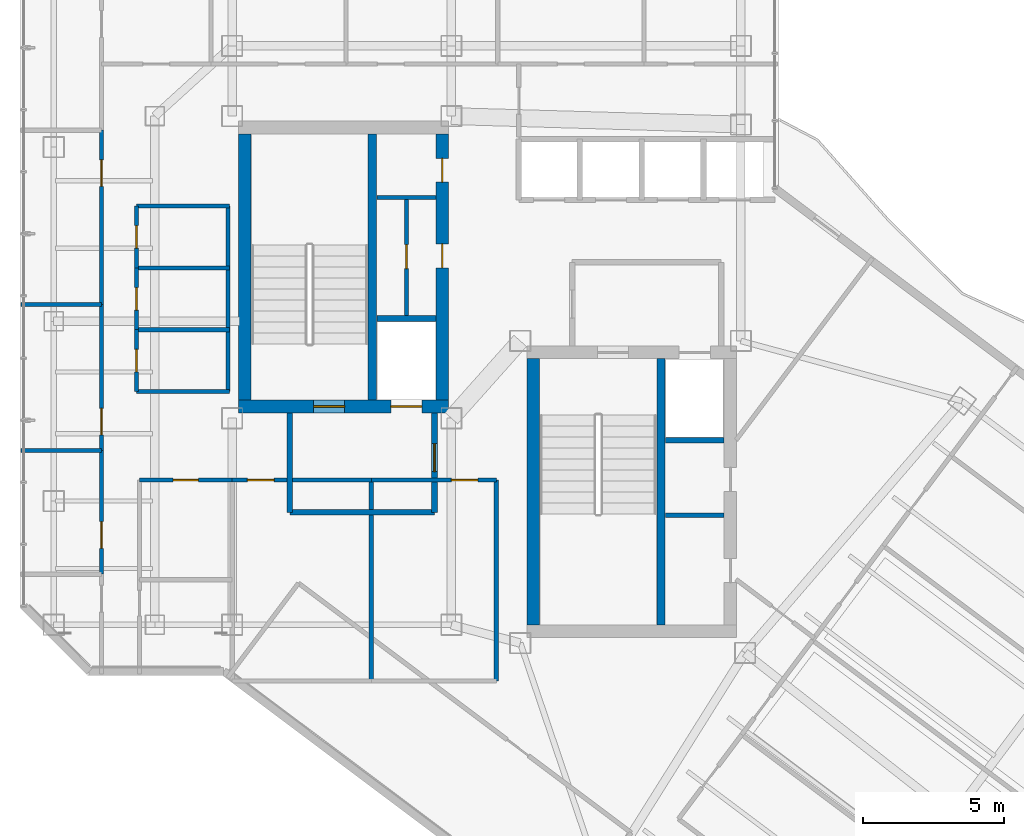
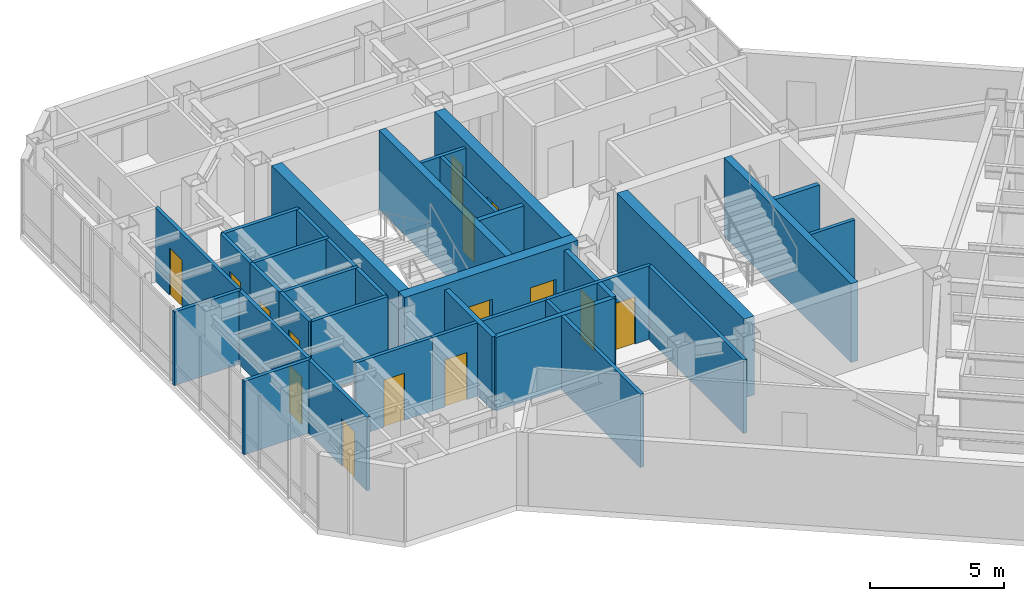
# One storey, part 20 of 26: 32 walls, 15 doors, 15 openings.
"""IFC4 building model written with IfcOpenShell, lengths in metres."""

import ifcopenshell
import ifcopenshell.guid

model = None  # the IFC model being written
_history = None  # IfcOwnerHistory: only IFC2X3 demands one
_inside = {}  # id of a spatial element -> (the spatial element, [elements in it])
_under = {}  # id of a project, library or spatial element -> (it, [spatial elements below it])
_declared = {}  # id of a project -> (the project, [libraries it declares])
_typed = {}  # id of a type object -> (the type object, [elements of that type])
_made_of = {}  # id of a material, layer set ... -> (it, [elements and type objects made of it])


def new_model(schema):
    """Start an empty IFC model of exactly this schema.

    Asked for "IFC4X3", IfcOpenShell would pick the latest addendum, in which some entities
    have other attributes; the version numbers below select the first issue.
    IFC2X3 requires an IfcOwnerHistory on every rooted entity: one is made here for all.
    """
    global model, _history
    if schema == "IFC4X3":
        model = ifcopenshell.file(schema_version=(4, 3, 0, 0))
    else:
        model = ifcopenshell.file(schema=schema)
    _inside.clear()
    _under.clear()
    _declared.clear()
    _typed.clear()
    _made_of.clear()
    _history = None
    if model.schema == "IFC2X3":
        org = make("IfcOrganization", Name="unknown")
        user = make(
            "IfcPersonAndOrganization",
            ThePerson=make("IfcPerson", FamilyName="unknown"),
            TheOrganization=org,
        )
        app = make(
            "IfcApplication",
            ApplicationDeveloper=org,
            Version="unknown",
            ApplicationFullName="unknown",
            ApplicationIdentifier="unknown",
        )
        _history = make(
            "IfcOwnerHistory",
            OwningUser=user,
            OwningApplication=app,
            ChangeAction="ADDED",
            CreationDate=0,
        )
    return model


def make(cls, **values):
    """One entity of the class cls with the attributes given. An attribute that is None is left unset."""
    return model.create_entity(
        cls, **{name: value for name, value in values.items() if value is not None}
    )


def rooted(cls, **values):
    """An entity with a GlobalId (a new one), such as an element, a storey or a relation."""
    return make(cls, GlobalId=ifcopenshell.guid.new(), OwnerHistory=_history, **values)


def si_unit(unit_type, name, prefix=None):
    """IfcSIUnit, for example si_unit("LENGTHUNIT", "METRE", prefix="MILLI")."""
    return make("IfcSIUnit", UnitType=unit_type, Prefix=prefix, Name=name)


def assignment(units):
    """IfcUnitAssignment: the units of a project."""
    return None if units is None else make("IfcUnitAssignment", Units=units)


def point(xyz):
    """IfcCartesianPoint."""
    return None if xyz is None else make("IfcCartesianPoint", Coordinates=xyz)


def direction(xyz):
    """IfcDirection."""
    return None if xyz is None else make("IfcDirection", DirectionRatios=xyz)


def frame(location, z_axis=None, x_axis=None):
    """IfcAxis2Placement3D, a coordinate frame: its origin and axes. An axis left out is left unset."""
    return make(
        "IfcAxis2Placement3D",
        Location=point(location),
        Axis=direction(z_axis),
        RefDirection=direction(x_axis),
    )


def frame_2d(location, x_axis=None):
    """IfcAxis2Placement2D, a coordinate frame in the plane: its origin and x axis."""
    return make(
        "IfcAxis2Placement2D", Location=point(location), RefDirection=direction(x_axis)
    )


def origin():
    """The frame at (0, 0, 0) with its axes left unset."""
    return frame((0.0, 0.0, 0.0))


def place(relative_to, where):
    """IfcLocalPlacement: puts the frame where relative to a parent placement (None: the world)."""
    return make(
        "IfcLocalPlacement", PlacementRelTo=relative_to, RelativePlacement=where
    )


def context(
    kind, dimensions, precision=None, world=None, true_north=None, identifier=None
):
    """IfcGeometricRepresentationContext, for example the 3D "Model" context."""
    return make(
        "IfcGeometricRepresentationContext",
        ContextIdentifier=identifier,
        ContextType=kind,
        CoordinateSpaceDimension=dimensions,
        Precision=precision,
        WorldCoordinateSystem=world,
        TrueNorth=true_north,
    )


def subcontext(parent, identifier, kind, view, scale=None):
    """IfcGeometricRepresentationSubContext, for example "Body" below "Model"."""
    return make(
        "IfcGeometricRepresentationSubContext",
        ContextIdentifier=identifier,
        ContextType=kind,
        ParentContext=parent,
        TargetScale=scale,
        TargetView=view,
    )


def project(units=None, contexts=None):
    """IfcProject with its units and contexts."""
    return rooted(
        "IfcProject",
        Name="project",
        RepresentationContexts=contexts,
        UnitsInContext=assignment(units),
    )


def spatial(cls, under=None, at=None, **own):
    """A site, building, storey or space (cls), placed at a placement, below another one or the project."""
    s = rooted(cls, ObjectPlacement=at, **own)
    if under is not None:
        _under.setdefault(under.id(), (under, []))[1].append(s)
    return s


def profile(cls, at=None, kind="AREA", **sizes):
    """A parametric profile (cls). Its sizes go by their IFC names, for example OverallWidth=200.0."""
    return make(cls, ProfileType=kind, Position=at, **sizes)


def rectangle(**sizes):
    """IfcRectangleProfileDef."""
    return profile("IfcRectangleProfileDef", **sizes)


def extrude(swept, where, along, depth):
    """IfcExtrudedAreaSolid: the profile swept, set in the frame where, extruded along a direction by depth."""
    return make(
        "IfcExtrudedAreaSolid",
        SweptArea=swept,
        Position=where,
        ExtrudedDirection=direction(along),
        Depth=depth,
    )


def shape(context_of_items, identifier, shape_type, items):
    """IfcShapeRepresentation: the items that make up one representation, for example the "Body"."""
    return make(
        "IfcShapeRepresentation",
        ContextOfItems=context_of_items,
        RepresentationIdentifier=identifier,
        RepresentationType=shape_type,
        Items=items,
    )


def material(Name=None, Category=None):
    """IfcMaterial."""
    return make("IfcMaterial", Name=Name, Category=Category)


def layer(
    of_material, thickness, ventilated=None, Name=None, Category=None, Priority=None
):
    """IfcMaterialLayer: one layer of a wall or slab, of a material (None: an air gap)."""
    return make(
        "IfcMaterialLayer",
        Material=of_material,
        LayerThickness=thickness,
        IsVentilated=ventilated,
        Name=Name,
        Category=Category,
        Priority=Priority,
    )


def layer_set(layers, Name=None):
    """IfcMaterialLayerSet."""
    return make("IfcMaterialLayerSet", MaterialLayers=layers, LayerSetName=Name)


def made_of(thing, what):
    """Note that an element or type object is made of a material, layer set ...; save() writes the relation."""
    if what is not None:
        _made_of.setdefault(what.id(), (what, []))[1].append(thing)
    return thing


def type_object(cls, material=None, **own):
    """A type object (cls), such as IfcWallType, which elements share."""
    return made_of(rooted(cls, **own), material)


def element(
    cls,
    number,
    at=None,
    inside=None,
    cuts=None,
    type_object=None,
    material=None,
    context=None,
    identifier="Body",
    shape_type=None,
    held_by="IfcProductDefinitionShape",
    body=None,
    shapes=None,
    **own,
):
    """One element of the class cls, such as IfcWall. Its Tag is "e" and its number.

    at: its placement. inside: the storey or other place that contains it. cuts: it is an
    opening in that element (IfcRelVoidsElement). A single representation is given by context,
    identifier, shape_type and body (its items); several are given by shapes. held_by: the class
    of the entity that holds the representations. save() writes the other relations.
    """
    e = rooted(cls, Tag="e%d" % number, ObjectPlacement=at, **own)
    if body is not None:
        shapes = [shape(context, identifier, shape_type, body)]
    if shapes is not None:
        e.Representation = make(held_by, Representations=shapes)
    if inside is not None:
        _inside.setdefault(inside.id(), (inside, []))[1].append(e)
    if cuts is not None:
        rooted(
            "IfcRelVoidsElement", RelatingBuildingElement=cuts, RelatedOpeningElement=e
        )
    if type_object is not None:
        _typed.setdefault(type_object.id(), (type_object, []))[1].append(e)
    return made_of(e, material)


def fill(opening, filler):
    """IfcRelFillsElement: the door or window that sits in an opening."""
    return rooted(
        "IfcRelFillsElement",
        RelatingOpeningElement=opening,
        RelatedBuildingElement=filler,
    )


def aggregate(whole, parts):
    """IfcRelAggregates: a whole, such as a stair, and the parts it consists of."""
    return rooted("IfcRelAggregates", RelatingObject=whole, RelatedObjects=parts)


def save(model, path):
    """Write the relations noted so far, then the file.

    IfcRelAggregates (storeys below a building ...), IfcRelContainedInSpatialStructure (elements
    in a storey), IfcRelDefinesByType, IfcRelAssociatesMaterial and IfcRelDeclares: one each for
    every whole, place, type object, material and project.
    """
    for whole, parts in _under.values():
        aggregate(whole, parts)
    for where, things in _inside.values():
        rooted(
            "IfcRelContainedInSpatialStructure",
            RelatedElements=things,
            RelatingStructure=where,
        )
    for kind, things in _typed.values():
        rooted("IfcRelDefinesByType", RelatedObjects=things, RelatingType=kind)
    for what, things in _made_of.values():
        rooted("IfcRelAssociatesMaterial", RelatedObjects=things, RelatingMaterial=what)
    for by, libraries in _declared.values():
        rooted("IfcRelDeclares", RelatingContext=by, RelatedDefinitions=libraries)
    model.write(path)


model = new_model("IFC4")

# Units and contexts
model_context = context("Model", 3, precision=1e-05, world=origin(), true_north=direction((0.0, 1.0)))
body_context = subcontext(model_context, "Body", "Model", "MODEL_VIEW")
ifc_project = project(units=[si_unit("LENGTHUNIT", "METRE"), si_unit("AREAUNIT", "SQUARE_METRE"), si_unit("VOLUMEUNIT", "CUBIC_METRE"), si_unit("PLANEANGLEUNIT", "RADIAN"), si_unit("MASSUNIT", "GRAM", prefix="KILO")], contexts=[model_context])

# Site, building, storey
site_placement = place(None, origin())
site = spatial("IfcSite", under=ifc_project, at=site_placement, CompositionType="ELEMENT")
building_placement = place(site_placement, origin())
building = spatial("IfcBuilding", under=site, at=building_placement, Name="Hatsunagi Terrace Concourse", CompositionType="ELEMENT")
storey_placement = place(building_placement, frame((0.0, 0.0, 209.550048828125)))
storey = spatial("IfcBuildingStorey", under=building, at=storey_placement, Name="L55", CompositionType="ELEMENT", Elevation=209.550048828125)

# Wall, openings, doors
ifc_material_1 = material(Name="Concrete Fc42", Category="concrete")
ifc_layer_1 = layer(ifc_material_1, 0.449951171875)
ifc_layer_set_1 = layer_set([ifc_layer_1], Name="CoreShearWall_Fc42_450")
wall_type_1 = type_object("IfcWallType", Name="CoreShearWall_Fc42_450", PredefinedType="SHEAR", material=ifc_layer_set_1)
wall_1_placement = place(storey_placement, frame((25.77001953125, 32.965087890625, 0.0), z_axis=(0.0, 0.0, 1.0), x_axis=(1.0, 0.0, 0.0)))
wall_1 = element("IfcWall", 1, at=wall_1_placement, inside=storey, type_object=wall_type_1, Name="Core A Shear Wall S L55", PredefinedType="SHEAR", context=body_context, shape_type="SweptSolid", body=[
    extrude(rectangle(XDim=7.47998046875, YDim=0.449951171875, at=frame_2d((3.739990234375, 0.0))), origin(), (0.0, 0.0, 1.0), 3.599853515625),
])
opening_1_placement = place(wall_1_placement, frame((2.679931640625, 0.0, 0.0)))
opening_1 = element("IfcOpeningElement", 2, at=opening_1_placement, cuts=wall_1, Name="Opening DR-110S", PredefinedType="OPENING", context=body_context, shape_type="SweptSolid", body=[
    extrude(rectangle(XDim=1.10009765625, YDim=2.199951171875, at=frame_2d((0.550048828125, 1.10009765625))), frame((0.0, 0.23486328125, 0.0), z_axis=(0.0, -1.0, 0.0), x_axis=(1.0, 0.0, 0.0)), (0.0, 0.0, 1.0), 0.469970703125),
])
opening_2_placement = place(wall_1_placement, frame((5.429931640625, 0.0, 0.0)))
opening_2 = element("IfcOpeningElement", 3, at=opening_2_placement, cuts=wall_1, Name="Opening LD-01", PredefinedType="OPENING", context=body_context, shape_type="SweptSolid", body=[
    extrude(rectangle(XDim=1.10009765625, YDim=2.14990234375, at=frame_2d((0.550048828125, 1.074951171875))), frame((0.0, 0.23486328125, 0.0), z_axis=(0.0, -1.0, 0.0), x_axis=(1.0, 0.0, 0.0)), (0.0, 0.0, 1.0), 0.469970703125),
])
ifc_material_2 = material(Name="Stainless steel", Category="steel")
door_type_1 = type_object("IfcDoorType", Name="LiftLandingDoor_LD01", OperationType="SLIDING_TO_LEFT", PredefinedType="USERDEFINED", material=ifc_material_2)
door_1_placement = place(opening_2_placement, origin())
door_1 = element("IfcDoor", 4, at=door_1_placement, inside=storey, type_object=door_type_1, Name="Lift landing door FF-01 L55", ObjectType="SLIDING_LANDING_DOOR", OperationType="SLIDING_TO_LEFT", OverallHeight=2.14990234375, OverallWidth=1.10009765625, PredefinedType="USERDEFINED", context=body_context, shape_type="SweptSolid", body=[
    extrude(rectangle(XDim=1.10009765625, YDim=2.14990234375, at=frame_2d((0.550048828125, 1.074951171875))), frame((0.0, 0.02490234375, 0.0), z_axis=(0.0, -1.0, 0.0), x_axis=(1.0, 0.0, 0.0)), (0.0, 0.0, 1.0), 0.050048828125),
])
fill(opening_2, door_1)
ifc_material_3 = material(Name="Painted steel", Category="steel")
door_type_2 = type_object("IfcDoorType", Name="StairFireDoor_EI60_1100", OperationType="NOTDEFINED", PredefinedType="DOOR", material=ifc_material_3)
door_2_placement = place(opening_1_placement, origin())
door_2 = element("IfcDoor", 5, at=door_2_placement, inside=storey, type_object=door_type_2, Name="Stair ST-A Exit Door L55", OperationType="SINGLE_SWING_LEFT", OverallHeight=2.199951171875, OverallWidth=1.10009765625, PredefinedType="DOOR", context=body_context, shape_type="SweptSolid", body=[
    extrude(rectangle(XDim=1.10009765625, YDim=2.199951171875, at=frame_2d((0.550048828125, 1.10009765625))), frame((0.0, 0.02490234375, 0.0), z_axis=(0.0, -1.0, 0.0), x_axis=(1.0, 0.0, 0.0)), (0.0, 0.0, 1.0), 0.050048828125),
])
fill(opening_1, door_2)

# Wall
wall_2_placement = place(storey_placement, frame((25.9951171875, 33.18994140625, 0.0), z_axis=(0.0, 0.0, 1.0), x_axis=(0.0, 1.0, 0.0)))
element("IfcWall", 6, at=wall_2_placement, inside=storey, type_object=wall_type_1, Name="Core A Shear Wall W L55", PredefinedType="SHEAR", context=body_context, shape_type="SweptSolid", body=[
    extrude(rectangle(XDim=9.47998046875, YDim=0.449951171875, at=frame_2d((4.739990234375, 0.0))), origin(), (0.0, 0.0, 1.0), 3.599853515625),
])

# Wall, openings, doors
wall_3_placement = place(storey_placement, frame((33.02490234375, 33.18994140625, 0.0), z_axis=(0.0, 0.0, 1.0), x_axis=(0.0, 1.0, 0.0)))
wall_3 = element("IfcWall", 7, at=wall_3_placement, inside=storey, type_object=wall_type_1, Name="Core A Shear Wall E L55", PredefinedType="SHEAR", context=body_context, shape_type="SweptSolid", body=[
    extrude(rectangle(XDim=9.47998046875, YDim=0.449951171875, at=frame_2d((4.739990234375, 0.0))), origin(), (0.0, 0.0, 1.0), 3.599853515625),
])
opening_3_placement = place(wall_3_placement, frame((4.7099609375, 0.0, 0.0)))
opening_3 = element("IfcOpeningElement", 8, at=opening_3_placement, cuts=wall_3, Name="Opening DR-085", PredefinedType="OPENING", context=body_context, shape_type="SweptSolid", body=[
    extrude(rectangle(XDim=0.85009765625, YDim=2.080078125, at=frame_2d((0.425048828125, 1.0400390625))), frame((0.0, 0.23486328125, 0.0), z_axis=(0.0, -1.0, 0.0), x_axis=(1.0, 0.0, 0.0)), (0.0, 0.0, 1.0), 0.469970703125),
])
opening_4_placement = place(wall_3_placement, frame((7.760009765625, 0.0, 0.0)))
opening_4 = element("IfcOpeningElement", 9, at=opening_4_placement, cuts=wall_3, Name="Opening DR-085", PredefinedType="OPENING", context=body_context, shape_type="SweptSolid", body=[
    extrude(rectangle(XDim=0.85009765625, YDim=2.080078125, at=frame_2d((0.425048828125, 1.0400390625))), frame((0.0, 0.23486328125, 0.0), z_axis=(0.0, -1.0, 0.0), x_axis=(1.0, 0.0, 0.0)), (0.0, 0.0, 1.0), 0.469970703125),
])
ifc_material_4 = material(Name="Painted steel", Category="steel")
door_type_3 = type_object("IfcDoorType", Name="RiserAccessDoor_EI60_850", OperationType="NOTDEFINED", PredefinedType="DOOR", material=ifc_material_4)
door_3_placement = place(opening_3_placement, origin())
door_3 = element("IfcDoor", 10, at=door_3_placement, inside=storey, type_object=door_type_3, Name="Core A Riser Door L55-1", OperationType="SINGLE_SWING_LEFT", OverallHeight=2.080078125, OverallWidth=0.85009765625, PredefinedType="DOOR", context=body_context, shape_type="SweptSolid", body=[
    extrude(rectangle(XDim=0.85009765625, YDim=2.080078125, at=frame_2d((0.425048828125, 1.0400390625))), frame((0.0, 0.02490234375, 0.0), z_axis=(0.0, -1.0, 0.0), x_axis=(1.0, 0.0, 0.0)), (0.0, 0.0, 1.0), 0.050048828125),
])
fill(opening_3, door_3)
door_4_placement = place(opening_4_placement, origin())
door_4 = element("IfcDoor", 11, at=door_4_placement, inside=storey, type_object=door_type_3, Name="Core A Riser Door L55-2", OperationType="SINGLE_SWING_LEFT", OverallHeight=2.080078125, OverallWidth=0.85009765625, PredefinedType="DOOR", context=body_context, shape_type="SweptSolid", body=[
    extrude(rectangle(XDim=0.85009765625, YDim=2.080078125, at=frame_2d((0.425048828125, 1.0400390625))), frame((0.0, 0.02490234375, 0.0), z_axis=(0.0, -1.0, 0.0), x_axis=(1.0, 0.0, 0.0)), (0.0, 0.0, 1.0), 0.050048828125),
])
fill(opening_4, door_4)

# Walls
wall_4_placement = place(storey_placement, frame((36.264892578125, 25.18994140625, 0.0), z_axis=(0.0, 0.0, 1.0), x_axis=(0.0, 1.0, 0.0)))
element("IfcWall", 12, at=wall_4_placement, inside=storey, type_object=wall_type_1, Name="Core B Shear Wall W L55", PredefinedType="SHEAR", context=body_context, shape_type="SweptSolid", body=[
    extrude(rectangle(XDim=9.47998046875, YDim=0.449951171875, at=frame_2d((4.739990234375, 0.0))), origin(), (0.0, 0.0, 1.0), 3.599853515625),
])
ifc_material_5 = material(Name="Concrete Fc48", Category="concrete")
ifc_layer_2 = layer(ifc_material_5, 0.300048828125)
ifc_layer_set_2 = layer_set([ifc_layer_2], Name="CoreStairDivider_Fc48_300")
wall_type_2 = type_object("IfcWallType", Name="CoreStairDivider_Fc48_300", PredefinedType="SHEAR", material=ifc_layer_set_2)
for number, where, z_axis, x_axis, name in (
    (13, (30.5400390625, 33.18994140625, 0.0), (0.0, 0.0, 1.0), (0.0, 1.0, 0.0), "Core A Shear Wall D L55"),
    (14, (40.81005859375, 25.18994140625, 0.0), (0.0, 0.0, 1.0), (0.0, 1.0, 0.0), "Core B Shear Wall D L55"),
):
    element("IfcWall", number, at=place(storey_placement, frame(where, z_axis=z_axis, x_axis=x_axis)), inside=storey, type_object=wall_type_2, Name=name, PredefinedType="SHEAR", context=body_context, shape_type="SweptSolid", body=[
        extrude(rectangle(XDim=9.47998046875, YDim=0.300048828125, at=frame_2d((4.739990234375, 0.0))), origin(), (0.0, 0.0, 1.0), 3.599853515625),
    ])

# Wall, opening, door
ifc_material_6 = material(Name="Acoustic mineral board", Category="gypsum")
ifc_layer_3 = layer(ifc_material_6, 0.14990234375)
ifc_layer_set_3 = layer_set([ifc_layer_3], Name="PartitionWall_EI60_150")
wall_type_3 = type_object("IfcWallType", Name="PartitionWall_EI60_150", PredefinedType="PARTITIONING", material=ifc_layer_set_3)
wall_5_placement = place(storey_placement, frame((31.75, 36.179931640625, 0.0), z_axis=(0.0, 0.0, 1.0), x_axis=(0.0, 1.0, 0.0)))
wall_5 = element("IfcWall", 15, at=wall_5_placement, inside=storey, type_object=wall_type_3, Name="Interior Partition IW-L55-002", PredefinedType="PARTITIONING", context=body_context, shape_type="SweptSolid", body=[
    extrude(rectangle(XDim=4.239990234375, YDim=0.14990234375, at=frame_2d((2.1201171875, 0.0))), origin(), (0.0, 0.0, 1.0), 3.349853515625),
])
opening_5_placement = place(wall_5_placement, frame((1.695068359375, 0.0, 0.0)))
opening_5 = element("IfcOpeningElement", 16, at=opening_5_placement, cuts=wall_5, Name="Opening DR-085", PredefinedType="OPENING", context=body_context, shape_type="SweptSolid", body=[
    extrude(rectangle(XDim=0.85009765625, YDim=2.080078125, at=frame_2d((0.425048828125, 1.0400390625))), frame((0.0, 0.0849609375, 0.0), z_axis=(0.0, -1.0, 0.0), x_axis=(1.0, 0.0, 0.0)), (0.0, 0.0, 1.0), 0.169921875),
])
door_5_placement = place(opening_5_placement, origin())
door_5 = element("IfcDoor", 17, at=door_5_placement, inside=storey, type_object=door_type_3, Name="Core A Sub-Riser Door L55", OperationType="SINGLE_SWING_LEFT", OverallHeight=2.080078125, OverallWidth=0.85009765625, PredefinedType="DOOR", context=body_context, shape_type="SweptSolid", body=[
    extrude(rectangle(XDim=0.85009765625, YDim=2.080078125, at=frame_2d((0.425048828125, 1.0400390625))), frame((0.0, 0.02490234375, 0.0), z_axis=(0.0, -1.0, 0.0), x_axis=(1.0, 0.0, 0.0)), (0.0, 0.0, 1.0), 0.050048828125),
])
fill(opening_5, door_5)

# Walls
wall_6_placement = place(storey_placement, frame((30.699951171875, 40.39990234375, 0.0), z_axis=(0.0, 0.0, 1.0), x_axis=(1.0, 0.0, 0.0)))
element("IfcWall", 18, at=wall_6_placement, inside=storey, type_object=wall_type_3, Name="Interior Partition IW-L55-003", PredefinedType="PARTITIONING", context=body_context, shape_type="SweptSolid", body=[
    extrude(rectangle(XDim=2.10009765625, YDim=0.14990234375, at=frame_2d((1.050048828125, 0.0))), origin(), (0.0, 0.0, 1.0), 3.349853515625),
])
wall_7_placement = place(storey_placement, frame((40.969970703125, 29.10009765625, 0.0), z_axis=(0.0, 0.0, 1.0), x_axis=(1.0, 0.0, 0.0)))
element("IfcWall", 19, at=wall_7_placement, inside=storey, type_object=wall_type_3, Name="Interior Partition IW-L55-005", PredefinedType="PARTITIONING", context=body_context, shape_type="SweptSolid", body=[
    extrude(rectangle(XDim=2.080078125, YDim=0.14990234375, at=frame_2d((1.0400390625, 0.0))), origin(), (0.0, 0.0, 1.0), 3.349853515625),
])
for number, where, z_axis, x_axis, name in (
    (20, (22.14990234375, 33.5, 0.0), (0.0, 0.0, 1.0), (1.0, 0.0, 0.0), "Interior Partition IW-L55-018"),
    (21, (22.14990234375, 40.10009765625, 0.0), (0.0, 0.0, 1.0), (1.0, 0.0, 0.0), "Interior Partition IW-L55-019"),
):
    element("IfcWall", number, at=place(storey_placement, frame(where, z_axis=z_axis, x_axis=x_axis)), inside=storey, type_object=wall_type_3, Name=name, PredefinedType="PARTITIONING", context=body_context, shape_type="SweptSolid", body=[
        extrude(rectangle(XDim=3.300048828125, YDim=0.14990234375, at=frame_2d((1.64990234375, 0.0))), origin(), (0.0, 0.0, 1.0), 3.349853515625),
    ])
wall_8_placement = place(storey_placement, frame((25.39990234375, 33.5, 0.0), z_axis=(0.0, 0.0, 1.0), x_axis=(0.0, 1.0, 0.0)))
element("IfcWall", 22, at=wall_8_placement, inside=storey, type_object=wall_type_3, Name="Interior Partition IW-L55-020", PredefinedType="PARTITIONING", context=body_context, shape_type="SweptSolid", body=[
    extrude(rectangle(XDim=6.60009765625, YDim=0.14990234375, at=frame_2d((3.300048828125, 0.0))), origin(), (0.0, 0.0, 1.0), 3.349853515625),
])
for number, where, z_axis, x_axis, name in (
    (23, (22.14990234375, 35.699951171875, 0.0), (0.0, 0.0, 1.0), (1.0, 0.0, 0.0), "Interior Partition IW-L55-021"),
    (24, (22.14990234375, 37.89990234375, 0.0), (0.0, 0.0, 1.0), (1.0, 0.0, 0.0), "Interior Partition IW-L55-022"),
):
    element("IfcWall", number, at=place(storey_placement, frame(where, z_axis=z_axis, x_axis=x_axis)), inside=storey, type_object=wall_type_3, Name=name, PredefinedType="PARTITIONING", context=body_context, shape_type="SweptSolid", body=[
        extrude(rectangle(XDim=3.300048828125, YDim=0.14990234375, at=frame_2d((1.64990234375, 0.0))), origin(), (0.0, 0.0, 1.0), 3.349853515625),
    ])

# Wall, opening, door
wall_9_placement = place(storey_placement, frame((22.14990234375, 33.5, 0.0), z_axis=(0.0, 0.0, 1.0), x_axis=(0.0, 1.0, 0.0)))
wall_9 = element("IfcWall", 25, at=wall_9_placement, inside=storey, type_object=wall_type_3, Name="Interior Partition IW-L55-023", PredefinedType="PARTITIONING", context=body_context, shape_type="SweptSolid", body=[
    extrude(rectangle(XDim=2.199951171875, YDim=0.14990234375, at=frame_2d((1.10009765625, 0.0))), origin(), (0.0, 0.0, 1.0), 3.349853515625),
])
opening_6_placement = place(wall_9_placement, frame((0.699951171875, 0.0, 0.0)))
opening_6 = element("IfcOpeningElement", 26, at=opening_6_placement, cuts=wall_9, Name="Opening DR-080", PredefinedType="OPENING", context=body_context, shape_type="SweptSolid", body=[
    extrude(rectangle(XDim=0.800048828125, YDim=2.06005859375, at=frame_2d((0.39990234375, 1.030029296875))), frame((0.0, 0.0849609375, 0.0), z_axis=(0.0, -1.0, 0.0), x_axis=(1.0, 0.0, 0.0)), (0.0, 0.0, 1.0), 0.169921875),
])
ifc_material_7 = material(Name="Hardwood timber", Category="wood")
door_type_4 = type_object("IfcDoorType", Name="BathroomDoor_800", OperationType="NOTDEFINED", PredefinedType="DOOR", material=ifc_material_7)
door_6_placement = place(opening_6_placement, origin())
door_6 = element("IfcDoor", 27, at=door_6_placement, inside=storey, type_object=door_type_4, Name="Accessible WC Door L55", OperationType="SINGLE_SWING_RIGHT", OverallHeight=2.06005859375, OverallWidth=0.800048828125, PredefinedType="DOOR", context=body_context, shape_type="SweptSolid", body=[
    extrude(rectangle(XDim=0.800048828125, YDim=2.06005859375, at=frame_2d((0.39990234375, 1.030029296875))), frame((0.0, 0.02490234375, 0.0), z_axis=(0.0, -1.0, 0.0), x_axis=(1.0, 0.0, 0.0)), (0.0, 0.0, 1.0), 0.050048828125),
])
fill(opening_6, door_6)

wall_10_placement = place(storey_placement, frame((22.14990234375, 35.699951171875, 0.0), z_axis=(0.0, 0.0, 1.0), x_axis=(0.0, 1.0, 0.0)))
wall_10 = element("IfcWall", 28, at=wall_10_placement, inside=storey, type_object=wall_type_3, Name="Interior Partition IW-L55-024", PredefinedType="PARTITIONING", context=body_context, shape_type="SweptSolid", body=[
    extrude(rectangle(XDim=2.199951171875, YDim=0.14990234375, at=frame_2d((1.10009765625, 0.0))), origin(), (0.0, 0.0, 1.0), 3.349853515625),
])
opening_7_placement = place(wall_10_placement, frame((0.699951171875, 0.0, 0.0)))
opening_7 = element("IfcOpeningElement", 29, at=opening_7_placement, cuts=wall_10, Name="Opening DR-080", PredefinedType="OPENING", context=body_context, shape_type="SweptSolid", body=[
    extrude(rectangle(XDim=0.800048828125, YDim=2.06005859375, at=frame_2d((0.39990234375, 1.030029296875))), frame((0.0, 0.0849609375, 0.0), z_axis=(0.0, -1.0, 0.0), x_axis=(1.0, 0.0, 0.0)), (0.0, 0.0, 1.0), 0.169921875),
])
door_7_placement = place(opening_7_placement, origin())
door_7 = element("IfcDoor", 30, at=door_7_placement, inside=storey, type_object=door_type_4, Name="Female Restroom Door L55", OperationType="SINGLE_SWING_RIGHT", OverallHeight=2.06005859375, OverallWidth=0.800048828125, PredefinedType="DOOR", context=body_context, shape_type="SweptSolid", body=[
    extrude(rectangle(XDim=0.800048828125, YDim=2.06005859375, at=frame_2d((0.39990234375, 1.030029296875))), frame((0.0, 0.02490234375, 0.0), z_axis=(0.0, -1.0, 0.0), x_axis=(1.0, 0.0, 0.0)), (0.0, 0.0, 1.0), 0.050048828125),
])
fill(opening_7, door_7)

wall_11_placement = place(storey_placement, frame((22.14990234375, 37.89990234375, 0.0), z_axis=(0.0, 0.0, 1.0), x_axis=(0.0, 1.0, 0.0)))
wall_11 = element("IfcWall", 31, at=wall_11_placement, inside=storey, type_object=wall_type_3, Name="Interior Partition IW-L55-025", PredefinedType="PARTITIONING", context=body_context, shape_type="SweptSolid", body=[
    extrude(rectangle(XDim=2.2001953125, YDim=0.14990234375, at=frame_2d((1.10009765625, 0.0))), origin(), (0.0, 0.0, 1.0), 3.349853515625),
])
opening_8_placement = place(wall_11_placement, frame((0.699951171875, 0.0, 0.0)))
opening_8 = element("IfcOpeningElement", 32, at=opening_8_placement, cuts=wall_11, Name="Opening DR-080", PredefinedType="OPENING", context=body_context, shape_type="SweptSolid", body=[
    extrude(rectangle(XDim=0.800048828125, YDim=2.06005859375, at=frame_2d((0.39990234375, 1.030029296875))), frame((0.0, 0.0849609375, 0.0), z_axis=(0.0, -1.0, 0.0), x_axis=(1.0, 0.0, 0.0)), (0.0, 0.0, 1.0), 0.169921875),
])
door_8_placement = place(opening_8_placement, origin())
door_8 = element("IfcDoor", 33, at=door_8_placement, inside=storey, type_object=door_type_4, Name="Male Restroom Door L55", OperationType="SINGLE_SWING_RIGHT", OverallHeight=2.06005859375, OverallWidth=0.800048828125, PredefinedType="DOOR", context=body_context, shape_type="SweptSolid", body=[
    extrude(rectangle(XDim=0.800048828125, YDim=2.06005859375, at=frame_2d((0.39990234375, 1.030029296875))), frame((0.0, 0.02490234375, 0.0), z_axis=(0.0, -1.0, 0.0), x_axis=(1.0, 0.0, 0.0)), (0.0, 0.0, 1.0), 0.050048828125),
])
fill(opening_8, door_8)

wall_12_placement = place(storey_placement, frame((25.550048828125, 30.35009765625, 0.0), z_axis=(0.0, 0.0, 1.0), x_axis=(1.0, 0.0, 0.0)))
wall_12 = element("IfcWall", 34, at=wall_12_placement, inside=storey, type_object=wall_type_3, Name="Interior Partition IW-L55-027", PredefinedType="PARTITIONING", context=body_context, shape_type="SweptSolid", body=[
    extrude(rectangle(XDim=4.949951171875, YDim=0.14990234375, at=frame_2d((2.47509765625, 0.0))), origin(), (0.0, 0.0, 1.0), 3.349853515625),
])
opening_9_placement = place(wall_12_placement, frame((0.5419921875, 0.0, 0.0)))
opening_9 = element("IfcOpeningElement", 35, at=opening_9_placement, cuts=wall_12, Name="Opening DR-095", PredefinedType="OPENING", context=body_context, shape_type="SweptSolid", body=[
    extrude(rectangle(XDim=0.949951171875, YDim=2.14990234375, at=frame_2d((0.47509765625, 1.074951171875))), frame((0.0, 0.0849609375, 0.0), z_axis=(0.0, -1.0, 0.0), x_axis=(1.0, 0.0, 0.0)), (0.0, 0.0, 1.0), 0.169921875),
])
ifc_material_8 = material(Name="Hardwood timber", Category="wood")
door_type_5 = type_object("IfcDoorType", Name="InteriorSuiteDoor_EI30_950", OperationType="NOTDEFINED", PredefinedType="DOOR", material=ifc_material_8)
door_9_placement = place(opening_9_placement, origin())
door_9 = element("IfcDoor", 36, at=door_9_placement, inside=storey, type_object=door_type_5, Name="Executive Office L55-RECL1 Door", OperationType="SINGLE_SWING_RIGHT", OverallHeight=2.14990234375, OverallWidth=0.949951171875, PredefinedType="DOOR", context=body_context, shape_type="SweptSolid", body=[
    extrude(rectangle(XDim=0.949951171875, YDim=2.14990234375, at=frame_2d((0.47509765625, 1.074951171875))), frame((0.0, 0.02490234375, 0.0), z_axis=(0.0, -1.0, 0.0), x_axis=(1.0, 0.0, 0.0)), (0.0, 0.0, 1.0), 0.050048828125),
])
fill(opening_9, door_9)

# Wall
wall_13_placement = place(storey_placement, frame((30.5, 23.199951171875, 0.0), z_axis=(0.0, 0.0, 1.0), x_axis=(0.0, 1.0, 0.0)))
element("IfcWall", 37, at=wall_13_placement, inside=storey, type_object=wall_type_3, Name="Interior Partition IW-L55-029", PredefinedType="PARTITIONING", context=body_context, shape_type="SweptSolid", body=[
    extrude(rectangle(XDim=7.150146484375, YDim=0.14990234375, at=frame_2d((3.5751953125, 0.0))), origin(), (0.0, 0.0, 1.0), 3.349853515625),
])

# Wall, opening, door
wall_14_placement = place(storey_placement, frame((30.5, 30.35009765625, 0.0), z_axis=(0.0, 0.0, 1.0), x_axis=(1.0, 0.0, 0.0)))
wall_14 = element("IfcWall", 38, at=wall_14_placement, inside=storey, type_object=wall_type_3, Name="Interior Partition IW-L55-031", PredefinedType="PARTITIONING", context=body_context, shape_type="SweptSolid", body=[
    extrude(rectangle(XDim=4.449951171875, YDim=0.14990234375, at=frame_2d((2.22509765625, 0.0))), origin(), (0.0, 0.0, 1.0), 3.349853515625),
])
opening_10_placement = place(wall_14_placement, frame((2.845947265625, 0.0, 0.0)))
opening_10 = element("IfcOpeningElement", 39, at=opening_10_placement, cuts=wall_14, Name="Opening DR-095", PredefinedType="OPENING", context=body_context, shape_type="SweptSolid", body=[
    extrude(rectangle(XDim=0.949951171875, YDim=2.14990234375, at=frame_2d((0.47509765625, 1.074951171875))), frame((0.0, 0.0849609375, 0.0), z_axis=(0.0, -1.0, 0.0), x_axis=(1.0, 0.0, 0.0)), (0.0, 0.0, 1.0), 0.169921875),
])
door_10_placement = place(opening_10_placement, origin())
door_10 = element("IfcDoor", 40, at=door_10_placement, inside=storey, type_object=door_type_5, Name="Client Consultation Room L55-RECL2 Door", OperationType="SINGLE_SWING_RIGHT", OverallHeight=2.14990234375, OverallWidth=0.949951171875, PredefinedType="DOOR", context=body_context, shape_type="SweptSolid", body=[
    extrude(rectangle(XDim=0.949951171875, YDim=2.14990234375, at=frame_2d((0.47509765625, 1.074951171875))), frame((0.0, 0.02490234375, 0.0), z_axis=(0.0, -1.0, 0.0), x_axis=(1.0, 0.0, 0.0)), (0.0, 0.0, 1.0), 0.050048828125),
])
fill(opening_10, door_10)

# Walls
wall_15_placement = place(storey_placement, frame((34.949951171875, 23.199951171875, 0.0), z_axis=(0.0, 0.0, 1.0), x_axis=(0.0, 1.0, 0.0)))
element("IfcWall", 41, at=wall_15_placement, inside=storey, type_object=wall_type_3, Name="Interior Partition IW-L55-032", PredefinedType="PARTITIONING", context=body_context, shape_type="SweptSolid", body=[
    extrude(rectangle(XDim=7.150146484375, YDim=0.14990234375, at=frame_2d((3.5751953125, 0.0))), origin(), (0.0, 0.0, 1.0), 3.349853515625),
])
wall_16_placement = place(storey_placement, frame((18.0400390625, 31.39990234375, 0.0), z_axis=(0.0, 0.0, 1.0), x_axis=(1.0, 0.0, 0.0)))
element("IfcWall", 42, at=wall_16_placement, inside=storey, type_object=wall_type_3, Name="Interior Partition IW-L55-035", PredefinedType="PARTITIONING", context=body_context, shape_type="SweptSolid", body=[
    extrude(rectangle(XDim=2.85986328125, YDim=0.14990234375, at=frame_2d((1.429931640625, 0.0))), origin(), (0.0, 0.0, 1.0), 3.349853515625),
])

# Wall, opening, door
wall_17_placement = place(storey_placement, frame((20.89990234375, 27.0, 0.0), z_axis=(0.0, 0.0, 1.0), x_axis=(0.0, 1.0, 0.0)))
wall_17 = element("IfcWall", 43, at=wall_17_placement, inside=storey, type_object=wall_type_3, Name="Interior Partition IW-L55-036", PredefinedType="PARTITIONING", context=body_context, shape_type="SweptSolid", body=[
    extrude(rectangle(XDim=4.39990234375, YDim=0.14990234375, at=frame_2d((2.199951171875, 0.0))), origin(), (0.0, 0.0, 1.0), 3.349853515625),
])
opening_11_placement = place(wall_17_placement, frame((0.91796875, 0.0, 0.0)))
opening_11 = element("IfcOpeningElement", 44, at=opening_11_placement, cuts=wall_17, Name="Opening DR-095", PredefinedType="OPENING", context=body_context, shape_type="SweptSolid", body=[
    extrude(rectangle(XDim=0.949951171875, YDim=2.14990234375, at=frame_2d((0.47509765625, 1.074951171875))), frame((0.0, 0.0849609375, 0.0), z_axis=(0.0, -1.0, 0.0), x_axis=(1.0, 0.0, 0.0)), (0.0, 0.0, 1.0), 0.169921875),
])
door_11_placement = place(opening_11_placement, origin())
door_11 = element("IfcDoor", 45, at=door_11_placement, inside=storey, type_object=door_type_5, Name="Executive Office L55-OW2 Door", OperationType="SINGLE_SWING_RIGHT", OverallHeight=2.14990234375, OverallWidth=0.949951171875, PredefinedType="DOOR", context=body_context, shape_type="SweptSolid", body=[
    extrude(rectangle(XDim=0.949951171875, YDim=2.14990234375, at=frame_2d((0.47509765625, 1.074951171875))), frame((0.0, 0.02490234375, 0.0), z_axis=(0.0, -1.0, 0.0), x_axis=(1.0, 0.0, 0.0)), (0.0, 0.0, 1.0), 0.050048828125),
])
fill(opening_11, door_11)

# Wall
wall_18_placement = place(storey_placement, frame((18.0400390625, 36.60009765625, 0.0), z_axis=(0.0, 0.0, 1.0), x_axis=(1.0, 0.0, 0.0)))
element("IfcWall", 46, at=wall_18_placement, inside=storey, type_object=wall_type_3, Name="Interior Partition IW-L55-037", PredefinedType="PARTITIONING", context=body_context, shape_type="SweptSolid", body=[
    extrude(rectangle(XDim=2.85986328125, YDim=0.14990234375, at=frame_2d((1.429931640625, 0.0))), origin(), (0.0, 0.0, 1.0), 3.349853515625),
])

# Wall, opening, door
wall_19_placement = place(storey_placement, frame((20.89990234375, 31.39990234375, 0.0), z_axis=(0.0, 0.0, 1.0), x_axis=(0.0, 1.0, 0.0)))
wall_19 = element("IfcWall", 47, at=wall_19_placement, inside=storey, type_object=wall_type_3, Name="Interior Partition IW-L55-038", PredefinedType="PARTITIONING", context=body_context, shape_type="SweptSolid", body=[
    extrude(rectangle(XDim=5.2001953125, YDim=0.14990234375, at=frame_2d((2.60009765625, 0.0))), origin(), (0.0, 0.0, 1.0), 3.349853515625),
])
opening_12_placement = place(wall_19_placement, frame((0.553955078125, 0.0, 0.0)))
opening_12 = element("IfcOpeningElement", 48, at=opening_12_placement, cuts=wall_19, Name="Opening DR-095", PredefinedType="OPENING", context=body_context, shape_type="SweptSolid", body=[
    extrude(rectangle(XDim=0.949951171875, YDim=2.14990234375, at=frame_2d((0.47509765625, 1.074951171875))), frame((0.0, 0.0849609375, 0.0), z_axis=(0.0, -1.0, 0.0), x_axis=(1.0, 0.0, 0.0)), (0.0, 0.0, 1.0), 0.169921875),
])
door_12_placement = place(opening_12_placement, origin())
door_12 = element("IfcDoor", 49, at=door_12_placement, inside=storey, type_object=door_type_5, Name="Meeting Room L55-OW3 Door", OperationType="SINGLE_SWING_RIGHT", OverallHeight=2.14990234375, OverallWidth=0.949951171875, PredefinedType="DOOR", context=body_context, shape_type="SweptSolid", body=[
    extrude(rectangle(XDim=0.949951171875, YDim=2.14990234375, at=frame_2d((0.47509765625, 1.074951171875))), frame((0.0, 0.02490234375, 0.0), z_axis=(0.0, -1.0, 0.0), x_axis=(1.0, 0.0, 0.0)), (0.0, 0.0, 1.0), 0.050048828125),
])
fill(opening_12, door_12)

wall_20_placement = place(storey_placement, frame((20.89990234375, 36.60009765625, 0.0), z_axis=(0.0, 0.0, 1.0), x_axis=(0.0, 1.0, 0.0)))
wall_20 = element("IfcWall", 50, at=wall_20_placement, inside=storey, type_object=wall_type_3, Name="Interior Partition IW-L55-040", PredefinedType="PARTITIONING", context=body_context, shape_type="SweptSolid", body=[
    extrude(rectangle(XDim=6.199951171875, YDim=0.14990234375, at=frame_2d((3.10009765625, 0.0))), origin(), (0.0, 0.0, 1.0), 3.349853515625),
])
opening_13_placement = place(wall_20_placement, frame((4.196044921875, 0.0, 0.0)))
opening_13 = element("IfcOpeningElement", 51, at=opening_13_placement, cuts=wall_20, Name="Opening DR-095", PredefinedType="OPENING", context=body_context, shape_type="SweptSolid", body=[
    extrude(rectangle(XDim=0.949951171875, YDim=2.14990234375, at=frame_2d((0.47509765625, 1.074951171875))), frame((0.0, 0.0849609375, 0.0), z_axis=(0.0, -1.0, 0.0), x_axis=(1.0, 0.0, 0.0)), (0.0, 0.0, 1.0), 0.169921875),
])
door_13_placement = place(opening_13_placement, origin())
door_13 = element("IfcDoor", 52, at=door_13_placement, inside=storey, type_object=door_type_5, Name="Team Innovation Studio L55-OW4 Door", OperationType="SINGLE_SWING_RIGHT", OverallHeight=2.14990234375, OverallWidth=0.949951171875, PredefinedType="DOOR", context=body_context, shape_type="SweptSolid", body=[
    extrude(rectangle(XDim=0.949951171875, YDim=2.14990234375, at=frame_2d((0.47509765625, 1.074951171875))), frame((0.0, 0.02490234375, 0.0), z_axis=(0.0, -1.0, 0.0), x_axis=(1.0, 0.0, 0.0)), (0.0, 0.0, 1.0), 0.050048828125),
])
fill(opening_13, door_13)

wall_21_placement = place(storey_placement, frame((22.25, 30.35009765625, 0.0), z_axis=(0.0, 0.0, 1.0), x_axis=(1.0, 0.0, 0.0)))
wall_21 = element("IfcWall", 53, at=wall_21_placement, inside=storey, type_object=wall_type_3, Name="Interior Partition IW-L55-065", PredefinedType="PARTITIONING", context=body_context, shape_type="SweptSolid", body=[
    extrude(rectangle(XDim=3.300048828125, YDim=0.14990234375, at=frame_2d((1.64990234375, 0.0))), origin(), (0.0, 0.0, 1.0), 3.349853515625),
])
opening_14_placement = place(wall_21_placement, frame((1.199951171875, 0.0, 0.0)))
opening_14 = element("IfcOpeningElement", 54, at=opening_14_placement, cuts=wall_21, Name="Opening DR-090", PredefinedType="OPENING", context=body_context, shape_type="SweptSolid", body=[
    extrude(rectangle(XDim=0.89990234375, YDim=2.14990234375, at=frame_2d((0.449951171875, 1.074951171875))), frame((0.0, 0.0849609375, 0.0), z_axis=(0.0, -1.0, 0.0), x_axis=(1.0, 0.0, 0.0)), (0.0, 0.0, 1.0), 0.169921875),
])
ifc_material_9 = material(Name="Hardwood timber", Category="wood")
door_type_6 = type_object("IfcDoorType", Name="CrownPavilionDoor_EI30_900", OperationType="NOTDEFINED", PredefinedType="DOOR", material=ifc_material_9)
door_14_placement = place(opening_14_placement, origin())
door_14 = element("IfcDoor", 55, at=door_14_placement, inside=storey, type_object=door_type_6, Name="Client Consultation Room L55-OCSWB Door", OperationType="SINGLE_SWING_RIGHT", OverallHeight=2.14990234375, OverallWidth=0.89990234375, PredefinedType="DOOR", context=body_context, shape_type="SweptSolid", body=[
    extrude(rectangle(XDim=0.89990234375, YDim=2.14990234375, at=frame_2d((0.449951171875, 1.074951171875))), frame((0.0, 0.02490234375, 0.0), z_axis=(0.0, -1.0, 0.0), x_axis=(1.0, 0.0, 0.0)), (0.0, 0.0, 1.0), 0.050048828125),
])
fill(opening_14, door_14)

# Walls
ifc_material_10 = material(Name="Acoustic mineral board", Category="gypsum")
ifc_layer_4 = layer(ifc_material_10, 0.199951171875)
ifc_layer_set_4 = layer_set([ifc_layer_4], Name="ShaftWall_EI120_200")
wall_type_4 = type_object("IfcWallType", Name="ShaftWall_EI120_200", PredefinedType="STANDARD", material=ifc_layer_set_4)
wall_22_placement = place(storey_placement, frame((30.699951171875, 36.10009765625, 0.0), z_axis=(0.0, 0.0, 1.0), x_axis=(1.0, 0.0, 0.0)))
element("IfcWall", 56, at=wall_22_placement, inside=storey, type_object=wall_type_4, Name="Interior Partition IW-L55-001", PredefinedType="STANDARD", context=body_context, shape_type="SweptSolid", body=[
    extrude(rectangle(XDim=2.10009765625, YDim=0.199951171875, at=frame_2d((1.050048828125, 0.0))), origin(), (0.0, 0.0, 1.0), 3.349853515625),
])
wall_23_placement = place(storey_placement, frame((40.969970703125, 31.760009765625, 0.0), z_axis=(0.0, 0.0, 1.0), x_axis=(1.0, 0.0, 0.0)))
element("IfcWall", 57, at=wall_23_placement, inside=storey, type_object=wall_type_4, Name="Interior Partition IW-L55-004", PredefinedType="STANDARD", context=body_context, shape_type="SweptSolid", body=[
    extrude(rectangle(XDim=2.080078125, YDim=0.199951171875, at=frame_2d((1.0400390625, 0.0))), origin(), (0.0, 0.0, 1.0), 3.349853515625),
])
wall_24_placement = place(storey_placement, frame((27.60009765625, 29.199951171875, 0.0), z_axis=(0.0, 0.0, 1.0), x_axis=(1.0, 0.0, 0.0)))
element("IfcWall", 58, at=wall_24_placement, inside=storey, type_object=wall_type_4, Name="Interior Partition IW-L55-006", PredefinedType="STANDARD", context=body_context, shape_type="SweptSolid", body=[
    extrude(rectangle(XDim=5.14990234375, YDim=0.199951171875, at=frame_2d((2.574951171875, 0.0))), origin(), (0.0, 0.0, 1.0), 3.349853515625),
])
wall_25_placement = place(storey_placement, frame((27.60009765625, 29.199951171875, 0.0), z_axis=(0.0, 0.0, 1.0), x_axis=(0.0, 1.0, 0.0)))
element("IfcWall", 59, at=wall_25_placement, inside=storey, type_object=wall_type_4, Name="Interior Partition IW-L55-007", PredefinedType="STANDARD", context=body_context, shape_type="SweptSolid", body=[
    extrude(rectangle(XDim=3.5400390625, YDim=0.199951171875, at=frame_2d((1.77001953125, 0.0))), origin(), (0.0, 0.0, 1.0), 3.349853515625),
])

# Wall, opening, door
wall_26_placement = place(storey_placement, frame((32.75, 29.199951171875, 0.0), z_axis=(0.0, 0.0, 1.0), x_axis=(0.0, 1.0, 0.0)))
wall_26 = element("IfcWall", 60, at=wall_26_placement, inside=storey, type_object=wall_type_4, Name="Interior Partition IW-L55-008", PredefinedType="STANDARD", context=body_context, shape_type="SweptSolid", body=[
    extrude(rectangle(XDim=3.5400390625, YDim=0.199951171875, at=frame_2d((1.77001953125, 0.0))), origin(), (0.0, 0.0, 1.0), 3.349853515625),
])
opening_15_placement = place(wall_26_placement, frame((1.449951171875, 0.0, 0.0)))
opening_15 = element("IfcOpeningElement", 61, at=opening_15_placement, cuts=wall_26, Name="Opening DR-100F", PredefinedType="OPENING", context=body_context, shape_type="SweptSolid", body=[
    extrude(rectangle(XDim=1.0, YDim=2.199951171875, at=frame_2d((0.5, 1.10009765625))), frame((0.0, 0.10986328125, 0.0), z_axis=(0.0, -1.0, 0.0), x_axis=(1.0, 0.0, 0.0)), (0.0, 0.0, 1.0), 0.219970703125),
])
ifc_material_11 = material(Name="Painted steel", Category="steel")
door_type_7 = type_object("IfcDoorType", Name="FireDoor_EI60_1000", OperationType="NOTDEFINED", PredefinedType="DOOR", material=ifc_material_11)
door_15_placement = place(opening_15_placement, origin())
door_15 = element("IfcDoor", 62, at=door_15_placement, inside=storey, type_object=door_type_7, Name="Firefighting Lobby A Door L55", OperationType="SINGLE_SWING_RIGHT", OverallHeight=2.199951171875, OverallWidth=1.0, PredefinedType="DOOR", context=body_context, shape_type="SweptSolid", body=[
    extrude(rectangle(XDim=1.0, YDim=2.199951171875, at=frame_2d((0.5, 1.10009765625))), frame((0.0, 0.02490234375, 0.0), z_axis=(0.0, -1.0, 0.0), x_axis=(1.0, 0.0, 0.0)), (0.0, 0.0, 1.0), 0.050048828125),
])
fill(opening_15, door_15)

save(model, "model.ifc")
